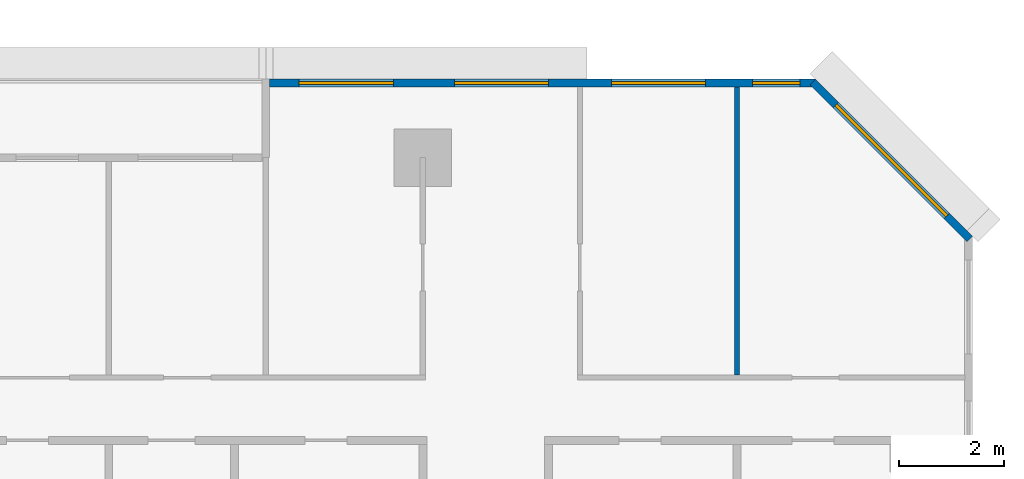
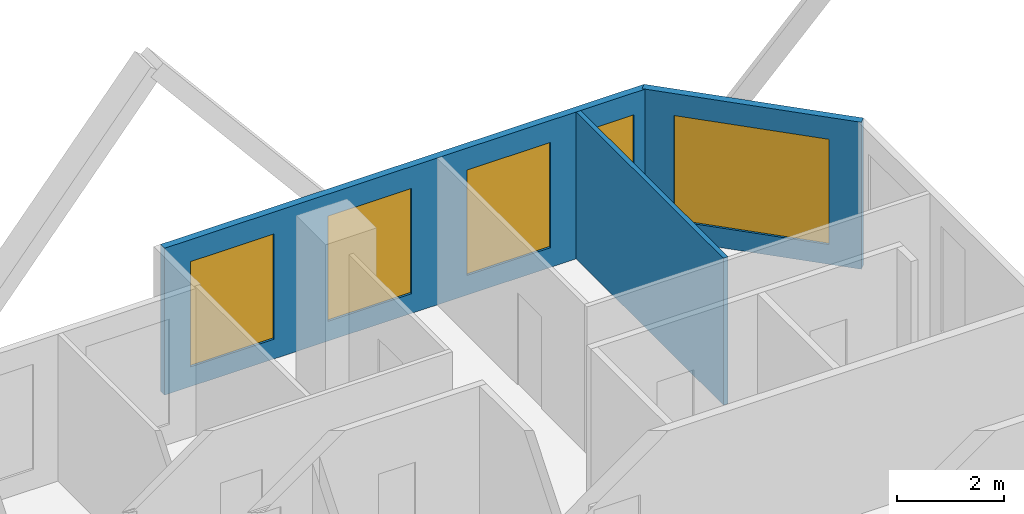
# One storey, part 13 of 16: 5 windows, 3 walls, 5 openings.
"""IFC4 building model written with IfcOpenShell, lengths in metres."""

from ifc_helpers import new_model, si_unit, direction, frame, frame_2d, origin, place, context, subcontext, project, spatial, rectangle, extrude, material, layer, layer_set, type_object, element, fill, save


model = new_model("IFC4")

# Units and contexts
model_context = context("Model", 3, precision=1e-05, world=origin(), true_north=direction((0.0, 1.0)))
body_context = subcontext(model_context, "Body", "Model", "MODEL_VIEW")
ifc_project = project(units=[si_unit("LENGTHUNIT", "METRE"), si_unit("AREAUNIT", "SQUARE_METRE"), si_unit("VOLUMEUNIT", "CUBIC_METRE"), si_unit("PLANEANGLEUNIT", "RADIAN"), si_unit("MASSUNIT", "GRAM", prefix="KILO")], contexts=[model_context])

# Site, building, storey
site_placement = place(None, origin())
site = spatial("IfcSite", under=ifc_project, at=site_placement, CompositionType="ELEMENT")
building_placement = place(site_placement, origin())
building = spatial("IfcBuilding", under=site, at=building_placement, Name="Chenar Terraces", CompositionType="ELEMENT")
storey_placement = place(building_placement, frame((0.0, 0.0, 78.89990234375)))
storey = spatial("IfcBuildingStorey", under=building, at=storey_placement, Name="L17", CompositionType="ELEMENT", Elevation=78.89990234375)

# Wall, openings, windows
ifc_material_1 = material(Name="Aluminium framed glazing", Category="aluminium")
ifc_layer_1 = layer(ifc_material_1, 0.14990234375)
ifc_layer_set_1 = layer_set([ifc_layer_1], Name="Aluminium framed glazing")
wall_type_1 = type_object("IfcWallType", Name="Glazed flush facade wall 150", PredefinedType="SOLIDWALL", material=ifc_layer_set_1)
wall_1_placement = place(storey_placement, frame((70.5, 25.425048828125, 0.0), z_axis=(0.0, 0.0, 1.0), x_axis=(-1.0, 0.0, 0.0)))
wall_1 = element("IfcWall", 1, at=wall_1_placement, inside=storey, type_object=wall_type_1, Name="Glazed flush facade wall", PredefinedType="SOLIDWALL", context=body_context, shape_type="SweptSolid", body=[
    extrude(rectangle(XDim=10.425048828125, YDim=0.14990234375, at=frame_2d((5.21240234375, 0.0))), origin(), (0.0, 0.0, 1.0), 3.35009765625),
])
opening_1_placement = place(wall_1_placement, frame((0.300048828125, 0.0, 0.449951171875)))
opening_1 = element("IfcOpeningElement", 2, at=opening_1_placement, cuts=wall_1, Name="Opening W90x240", PredefinedType="OPENING", context=body_context, shape_type="SweptSolid", body=[
    extrude(rectangle(XDim=0.89990234375, YDim=2.39990234375, at=frame_2d((0.449951171875, 1.199951171875))), frame((0.0, 0.0849609375, 0.0), z_axis=(0.0, -1.0, 0.0), x_axis=(1.0, 0.0, 0.0)), (0.0, 0.0, 1.0), 0.169921875),
])
opening_2_placement = place(wall_1_placement, frame((2.10009765625, 0.0, 0.449951171875)))
opening_2 = element("IfcOpeningElement", 3, at=opening_2_placement, cuts=wall_1, Name="Opening W180x240", PredefinedType="OPENING", context=body_context, shape_type="SweptSolid", body=[
    extrude(rectangle(XDim=1.800048828125, YDim=2.39990234375, at=frame_2d((0.89990234375, 1.199951171875))), frame((0.0, 0.0849609375, 0.0), z_axis=(0.0, -1.0, 0.0), x_axis=(1.0, 0.0, 0.0)), (0.0, 0.0, 1.0), 0.169921875),
])
opening_3_placement = place(wall_1_placement, frame((5.10009765625, 0.0, 0.449951171875)))
opening_3 = element("IfcOpeningElement", 4, at=opening_3_placement, cuts=wall_1, Name="Opening W180x240", PredefinedType="OPENING", context=body_context, shape_type="SweptSolid", body=[
    extrude(rectangle(XDim=1.800048828125, YDim=2.39990234375, at=frame_2d((0.89990234375, 1.199951171875))), frame((0.0, 0.0849609375, 0.0), z_axis=(0.0, -1.0, 0.0), x_axis=(1.0, 0.0, 0.0)), (0.0, 0.0, 1.0), 0.169921875),
])
opening_4_placement = place(wall_1_placement, frame((8.0625, 0.0, 0.449951171875)))
opening_4 = element("IfcOpeningElement", 5, at=opening_4_placement, cuts=wall_1, Name="Opening W180x240", PredefinedType="OPENING", context=body_context, shape_type="SweptSolid", body=[
    extrude(rectangle(XDim=1.800048828125, YDim=2.39990234375, at=frame_2d((0.89990234375, 1.199951171875))), frame((0.0, 0.0849609375, 0.0), z_axis=(0.0, -1.0, 0.0), x_axis=(1.0, 0.0, 0.0)), (0.0, 0.0, 1.0), 0.169921875),
])
ifc_material_2 = material(Name="Low emissivity double glazing, aluminium frame", Category="aluminium")
window_type_1 = type_object("IfcWindowType", Name="Fixed light 1800 x 2400", PartitioningType="SINGLE_PANEL", PredefinedType="WINDOW", material=ifc_material_2)
window_1_placement = place(opening_2_placement, origin())
window_1 = element("IfcWindow", 6, at=window_1_placement, inside=storey, type_object=window_type_1, Name="Window", OverallHeight=2.39990234375, OverallWidth=1.800048828125, PartitioningType="SINGLE_PANEL", PredefinedType="WINDOW", context=body_context, shape_type="SweptSolid", body=[
    extrude(rectangle(XDim=1.800048828125, YDim=2.39990234375, at=frame_2d((0.89990234375, 1.199951171875))), frame((0.0, 0.030029296875, 0.0), z_axis=(0.0, -1.0, 0.0), x_axis=(1.0, 0.0, 0.0)), (0.0, 0.0, 1.0), 0.06005859375),
])
fill(opening_2, window_1)
window_2_placement = place(opening_3_placement, origin())
window_2 = element("IfcWindow", 7, at=window_2_placement, inside=storey, type_object=window_type_1, Name="Window", OverallHeight=2.39990234375, OverallWidth=1.800048828125, PartitioningType="SINGLE_PANEL", PredefinedType="WINDOW", context=body_context, shape_type="SweptSolid", body=[
    extrude(rectangle(XDim=1.800048828125, YDim=2.39990234375, at=frame_2d((0.89990234375, 1.199951171875))), frame((0.0, 0.030029296875, 0.0), z_axis=(0.0, -1.0, 0.0), x_axis=(1.0, 0.0, 0.0)), (0.0, 0.0, 1.0), 0.06005859375),
])
fill(opening_3, window_2)
window_3_placement = place(opening_4_placement, origin())
window_3 = element("IfcWindow", 8, at=window_3_placement, inside=storey, type_object=window_type_1, Name="Window", OverallHeight=2.39990234375, OverallWidth=1.800048828125, PartitioningType="SINGLE_PANEL", PredefinedType="WINDOW", context=body_context, shape_type="SweptSolid", body=[
    extrude(rectangle(XDim=1.800048828125, YDim=2.39990234375, at=frame_2d((0.89990234375, 1.199951171875))), frame((0.0, 0.030029296875, 0.0), z_axis=(0.0, -1.0, 0.0), x_axis=(1.0, 0.0, 0.0)), (0.0, 0.0, 1.0), 0.06005859375),
])
fill(opening_4, window_3)
ifc_material_3 = material(Name="Low emissivity double glazing, aluminium frame", Category="aluminium")
window_type_2 = type_object("IfcWindowType", Name="Fixed light 900 x 2400", PartitioningType="SINGLE_PANEL", PredefinedType="WINDOW", material=ifc_material_3)
window_4_placement = place(opening_1_placement, origin())
window_4 = element("IfcWindow", 9, at=window_4_placement, inside=storey, type_object=window_type_2, Name="Window", OverallHeight=2.39990234375, OverallWidth=0.89990234375, PartitioningType="SINGLE_PANEL", PredefinedType="WINDOW", context=body_context, shape_type="SweptSolid", body=[
    extrude(rectangle(XDim=0.89990234375, YDim=2.39990234375, at=frame_2d((0.449951171875, 1.199951171875))), frame((0.0, 0.030029296875, 0.0), z_axis=(0.0, -1.0, 0.0), x_axis=(1.0, 0.0, 0.0)), (0.0, 0.0, 1.0), 0.06005859375),
])
fill(opening_1, window_4)

# Wall
ifc_material_4 = material(Name="Gypsum board on steel studs", Category="steel")
ifc_layer_2 = layer(ifc_material_4, 0.10009765625)
ifc_layer_set_2 = layer_set([ifc_layer_2], Name="Gypsum board on steel studs")
wall_type_2 = type_object("IfcWallType", Name="Gypsum partition 100", PredefinedType="PARTITIONING", material=ifc_layer_set_2)
wall_2_placement = place(storey_placement, frame((69.0, 19.85009765625, 0.0), z_axis=(0.0, 0.0, 1.0), x_axis=(0.0, 1.0, 0.0)))
element("IfcWall", 10, at=wall_2_placement, inside=storey, type_object=wall_type_2, Name="Partition L17-108", PredefinedType="PARTITIONING", context=body_context, shape_type="SweptSolid", body=[
    extrude(rectangle(XDim=5.5009765625, YDim=0.10009765625, at=frame_2d((2.75048828125, 0.0))), origin(), (0.0, 0.0, 1.0), 3.35009765625),
])

# Wall, opening, window
ifc_material_5 = material(Name="Terracotta cladding on insulated backing", Category="masonry")
ifc_layer_3 = layer(ifc_material_5, 0.14990234375)
ifc_layer_set_3 = layer_set([ifc_layer_3], Name="Terracotta cladding on insulated backing")
wall_type_3 = type_object("IfcWallType", Name="Terracotta rainscreen wall 150", PredefinedType="SOLIDWALL", material=ifc_layer_set_3)
wall_3_placement = place(storey_placement, frame((73.447021484375, 22.447021484375, 0.0), z_axis=(0.0, 0.0, 1.0), x_axis=(-0.707106781187, 0.707106781187, 0.0)))
wall_3 = element("IfcWall", 11, at=wall_3_placement, inside=storey, type_object=wall_type_3, Name="Terracotta rainscreen wall", PredefinedType="SOLIDWALL", context=body_context, shape_type="SweptSolid", body=[
    extrude(rectangle(XDim=4.24267578125, YDim=0.14990234375, at=frame_2d((2.121337890625, 0.0))), origin(), (0.0, 0.0, 1.0), 3.35009765625),
])
opening_5_placement = place(wall_3_placement, frame((0.621337890625, 0.0, 0.449951171875)))
opening_5 = element("IfcOpeningElement", 12, at=opening_5_placement, cuts=wall_3, Name="Opening W300x240", PredefinedType="OPENING", context=body_context, shape_type="SweptSolid", body=[
    extrude(rectangle(XDim=3.0, YDim=2.39990234375, at=frame_2d((1.5, 1.199951171875))), frame((0.0, 0.0849609375, 0.0), z_axis=(0.0, -1.0, 0.0), x_axis=(1.0, 0.0, 0.0)), (0.0, 0.0, 1.0), 0.169921875),
])
ifc_material_6 = material(Name="Low emissivity double glazing, aluminium frame", Category="aluminium")
window_type_3 = type_object("IfcWindowType", Name="Fixed light 3000 x 2400", PartitioningType="SINGLE_PANEL", PredefinedType="WINDOW", material=ifc_material_6)
window_5_placement = place(opening_5_placement, origin())
window_5 = element("IfcWindow", 13, at=window_5_placement, inside=storey, type_object=window_type_3, Name="Window", OverallHeight=2.39990234375, OverallWidth=3.0, PartitioningType="SINGLE_PANEL", PredefinedType="WINDOW", context=body_context, shape_type="SweptSolid", body=[
    extrude(rectangle(XDim=3.0, YDim=2.39990234375, at=frame_2d((1.5, 1.199951171875))), frame((0.0, 0.030029296875, 0.0), z_axis=(0.0, -1.0, 0.0), x_axis=(1.0, 0.0, 0.0)), (0.0, 0.0, 1.0), 0.06005859375),
])
fill(opening_5, window_5)

save(model, "model.ifc")
